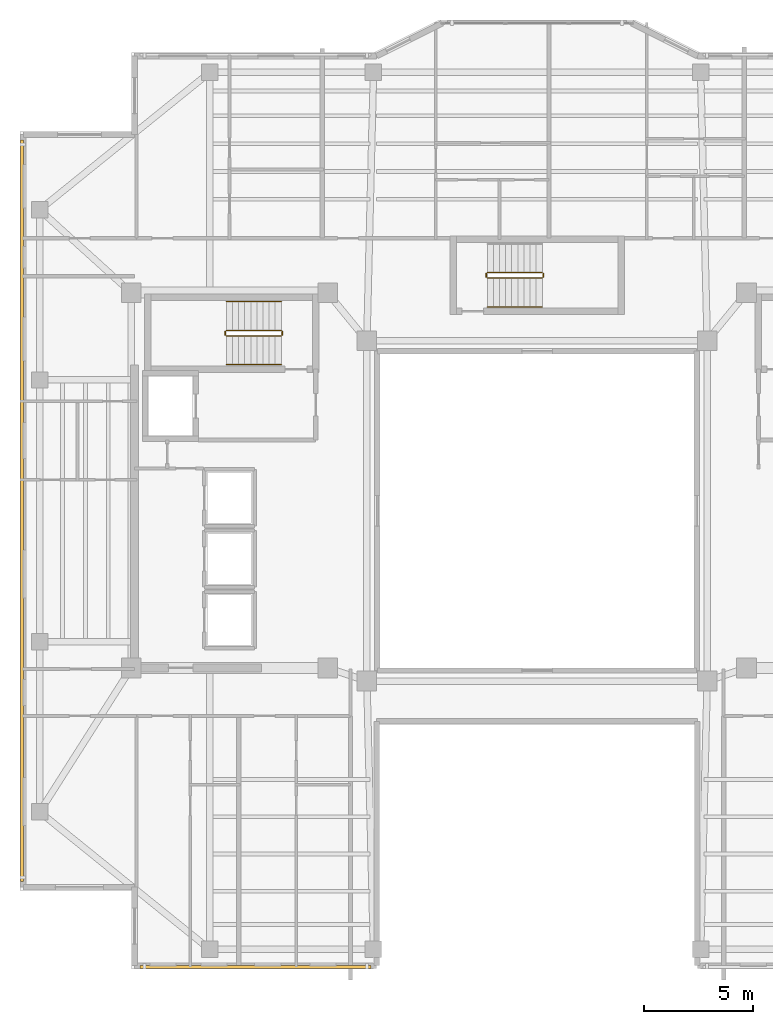
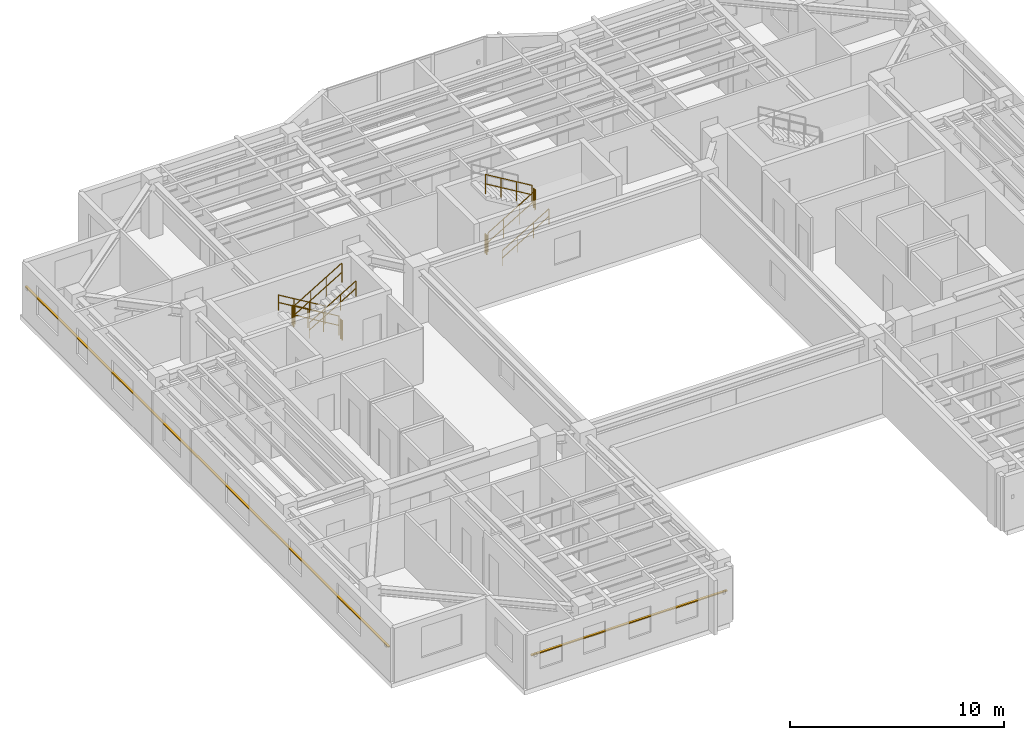
# One storey, part 10 of 12: 11 railings, 2 shading devices.
"""IFC4 building model written with IfcOpenShell, lengths in metres."""

from ifc_helpers import new_model, si_unit, direction, frame, origin, origin_2d, place, context, subcontext, project, spatial, rectangle, circle, extrude, material, material_profile, profile_set, type_object, element, save


model = new_model("IFC4")

# Units and contexts
model_context = context("Model", 3, precision=1e-05, world=origin(), true_north=direction((0.0, 1.0)))
body_context = subcontext(model_context, "Body", "Model", "MODEL_VIEW")
ifc_project = project(units=[si_unit("LENGTHUNIT", "METRE"), si_unit("AREAUNIT", "SQUARE_METRE"), si_unit("VOLUMEUNIT", "CUBIC_METRE"), si_unit("PLANEANGLEUNIT", "RADIAN"), si_unit("MASSUNIT", "GRAM", prefix="KILO")], contexts=[model_context])

# Site, building, storey
site_placement = place(None, origin())
site = spatial("IfcSite", under=ifc_project, at=site_placement, CompositionType="ELEMENT")
building_placement = place(site_placement, origin())
building = spatial("IfcBuilding", under=site, at=building_placement, Name="Tarnavaz Court Tower", CompositionType="ELEMENT")
storey_placement = place(building_placement, frame((0.0, 0.0, 210.35009765625)))
storey = spatial("IfcBuildingStorey", under=building, at=storey_placement, Name="L57", CompositionType="ELEMENT", Elevation=210.35009765625)

# Railings
ifc_material_1 = material(Name="Brushed Stainless Steel", Category="steel")
railing_type_1 = type_object("IfcRailingType", Name="RL-HANDRAIL-900", PredefinedType="HANDRAIL", material=ifc_material_1)
railing_1_placement = place(storey_placement, frame((-11.719970703125, 9.590087890625, 0.16748046875)))
element("IfcRailing", 1, at=railing_1_placement, inside=storey, type_object=railing_type_1, Name="L57 ST-W1 stair handrail 1", PredefinedType="HANDRAIL", context=body_context, shape_type="SweptSolid", body=[
    extrude(circle(Radius=0.02392578125, at=origin_2d()), frame((0.0, 0.0, 0.8759765625), z_axis=(-0.858196387827, 0.0, 0.513321497621), x_axis=(0.0, -1.0, 0.0)), (0.0, 0.0, 1.0), 2.9365234375),
    extrude(circle(Radius=0.02392578125, at=origin_2d()), frame((0.0, 0.0, 0.449951171875), z_axis=(-0.858196387827, 0.0, 0.513321497621), x_axis=(0.0, -1.0, 0.0)), (0.0, 0.0, 1.0), 2.9365234375),
    extrude(circle(Radius=0.02099609375, at=origin_2d()), origin(), (0.0, 0.0, 1.0), 0.851806640625),
    extrude(circle(Radius=0.02099609375, at=origin_2d()), frame((-0.840087890625, 0.0, 0.50244140625)), (0.0, 0.0, 1.0), 0.851806640625),
    extrude(circle(Radius=0.02099609375, at=origin_2d()), frame((-1.679931640625, 0.0, 1.0048828125)), (0.0, 0.0, 1.0), 0.851806640625),
    extrude(circle(Radius=0.02099609375, at=origin_2d()), frame((-2.52001953125, 0.0, 1.50732421875)), (0.0, 0.0, 1.0), 0.851806640625),
])
railing_2_placement = place(storey_placement, frame((-14.239990234375, 6.699951171875, 1.84228515625)))
element("IfcRailing", 2, at=railing_2_placement, inside=storey, type_object=railing_type_1, Name="L57 ST-W1 stair handrail 2", PredefinedType="HANDRAIL", context=body_context, shape_type="SweptSolid", body=[
    extrude(circle(Radius=0.02392578125, at=origin_2d()), frame((0.0, 0.0, 0.8759765625), z_axis=(0.858159760407, 0.0, 0.513382728203), x_axis=(0.0, 1.0, 0.0)), (0.0, 0.0, 1.0), 2.9365234375),
    extrude(circle(Radius=0.02392578125, at=origin_2d()), frame((0.0, 0.0, 0.449951171875), z_axis=(0.858159760407, 0.0, 0.513382728203), x_axis=(0.0, 1.0, 0.0)), (0.0, 0.0, 1.0), 2.9365234375),
    extrude(circle(Radius=0.02099609375, at=origin_2d()), origin(), (0.0, 0.0, 1.0), 0.851806640625),
    extrude(circle(Radius=0.02099609375, at=origin_2d()), frame((0.840087890625, 0.0, 0.50244140625)), (0.0, 0.0, 1.0), 0.851806640625),
    extrude(circle(Radius=0.02099609375, at=origin_2d()), frame((1.679931640625, 0.0, 1.005126953125)), (0.0, 0.0, 1.0), 0.851806640625),
    extrude(circle(Radius=0.02099609375, at=origin_2d()), frame((2.52001953125, 0.0, 1.507568359375)), (0.0, 0.0, 1.0), 0.851806640625),
])
railing_3_placement = place(storey_placement, frame((-2.280029296875, 9.35009765625, 0.16748046875)))
element("IfcRailing", 3, at=railing_3_placement, inside=storey, type_object=railing_type_1, Name="L57 ST-N1 stair handrail 1", PredefinedType="HANDRAIL", context=body_context, shape_type="SweptSolid", body=[
    extrude(circle(Radius=0.02392578125, at=origin_2d()), frame((0.0, 0.0, 0.8759765625), z_axis=(0.858196387827, 0.0, 0.513321497621), x_axis=(0.0, 1.0, 0.0)), (0.0, 0.0, 1.0), 2.9365234375),
    extrude(circle(Radius=0.02392578125, at=origin_2d()), frame((0.0, 0.0, 0.449951171875), z_axis=(0.858196387827, 0.0, 0.513321497621), x_axis=(0.0, 1.0, 0.0)), (0.0, 0.0, 1.0), 2.9365234375),
    extrude(circle(Radius=0.02099609375, at=origin_2d()), origin(), (0.0, 0.0, 1.0), 0.851806640625),
    extrude(circle(Radius=0.02099609375, at=origin_2d()), frame((0.840087890625, 0.0, 0.50244140625)), (0.0, 0.0, 1.0), 0.851806640625),
    extrude(circle(Radius=0.02099609375, at=origin_2d()), frame((1.679931640625, 0.0, 1.0048828125)), (0.0, 0.0, 1.0), 0.851806640625),
    extrude(circle(Radius=0.02099609375, at=origin_2d()), frame((2.52001953125, 0.0, 1.50732421875)), (0.0, 0.0, 1.0), 0.851806640625),
])
ifc_material_2 = material(Name="Galvanized Painted Tubular Steel", Category="steel")
railing_type_2 = type_object("IfcRailingType", Name="RL-STGUARD-1120", PredefinedType="GUARDRAIL", material=ifc_material_2)
railing_4_placement = place(storey_placement, frame((-11.719970703125, 8.27001953125, 0.16748046875)))
element("IfcRailing", 4, at=railing_4_placement, inside=storey, type_object=railing_type_2, Name="L57 ST-W1 stair guard 1", PredefinedType="GUARDRAIL", context=body_context, shape_type="SweptSolid", body=[
    extrude(circle(Radius=0.02392578125, at=origin_2d()), frame((0.0, 0.0, 1.09619140625), z_axis=(-0.858196387827, 0.0, 0.513321497621), x_axis=(0.0, -1.0, 0.0)), (0.0, 0.0, 1.0), 2.9365234375),
    extrude(circle(Radius=0.02392578125, at=origin_2d()), frame((0.0, 0.0, 0.56005859375), z_axis=(-0.858196387827, 0.0, 0.513321497621), x_axis=(0.0, -1.0, 0.0)), (0.0, 0.0, 1.0), 2.9365234375),
    extrude(circle(Radius=0.02099609375, at=origin_2d()), origin(), (0.0, 0.0, 1.0), 1.072021484375),
    extrude(circle(Radius=0.02099609375, at=origin_2d()), frame((-0.840087890625, 0.0, 0.50244140625)), (0.0, 0.0, 1.0), 1.072021484375),
    extrude(circle(Radius=0.02099609375, at=origin_2d()), frame((-1.679931640625, 0.0, 1.0048828125)), (0.0, 0.0, 1.0), 1.072021484375),
    extrude(circle(Radius=0.02099609375, at=origin_2d()), frame((-2.52001953125, 0.0, 1.50732421875)), (0.0, 0.0, 1.0), 1.072021484375),
])
railing_5_placement = place(storey_placement, frame((-14.2900390625, 8.219970703125, 1.6748046875)))
element("IfcRailing", 5, at=railing_5_placement, inside=storey, type_object=railing_type_2, Name="L57 ST-W1 stair guard 2", PredefinedType="GUARDRAIL", context=body_context, shape_type="SweptSolid", body=[
    extrude(circle(Radius=0.02392578125, at=origin_2d()), frame((0.0, 0.0, 1.09619140625), z_axis=(0.0, -1.0, 0.0), x_axis=(1.0, 0.0, 0.0)), (0.0, 0.0, 1.0), 0.14990234375),
    extrude(circle(Radius=0.02392578125, at=origin_2d()), frame((0.0, 0.0, 0.56005859375), z_axis=(0.0, -1.0, 0.0), x_axis=(1.0, 0.0, 0.0)), (0.0, 0.0, 1.0), 0.14990234375),
    extrude(circle(Radius=0.02099609375, at=origin_2d()), origin(), (0.0, 0.0, 1.0), 1.072021484375),
    extrude(circle(Radius=0.02099609375, at=origin_2d()), frame((0.0, -0.14990234375, 0.0)), (0.0, 0.0, 1.0), 1.072021484375),
])
railing_6_placement = place(storey_placement, frame((-14.239990234375, 8.02001953125, 1.84228515625)))
element("IfcRailing", 6, at=railing_6_placement, inside=storey, type_object=railing_type_2, Name="L57 ST-W1 stair guard 3", PredefinedType="GUARDRAIL", context=body_context, shape_type="SweptSolid", body=[
    extrude(circle(Radius=0.02392578125, at=origin_2d()), frame((0.0, 0.0, 1.09619140625), z_axis=(0.858159760407, 0.0, 0.513382728203), x_axis=(0.0, 1.0, 0.0)), (0.0, 0.0, 1.0), 2.9365234375),
    extrude(circle(Radius=0.02392578125, at=origin_2d()), frame((0.0, 0.0, 0.56005859375), z_axis=(0.858159760407, 0.0, 0.513382728203), x_axis=(0.0, 1.0, 0.0)), (0.0, 0.0, 1.0), 2.9365234375),
    extrude(circle(Radius=0.02099609375, at=origin_2d()), origin(), (0.0, 0.0, 1.0), 1.072021484375),
    extrude(circle(Radius=0.02099609375, at=origin_2d()), frame((0.840087890625, 0.0, 0.50244140625)), (0.0, 0.0, 1.0), 1.072021484375),
    extrude(circle(Radius=0.02099609375, at=origin_2d()), frame((1.679931640625, 0.0, 1.005126953125)), (0.0, 0.0, 1.0), 1.072021484375),
    extrude(circle(Radius=0.02099609375, at=origin_2d()), frame((2.52001953125, 0.0, 1.507568359375)), (0.0, 0.0, 1.0), 1.072021484375),
])
railing_7_placement = place(storey_placement, frame((-11.669921875, 8.219970703125, 0.0)))
element("IfcRailing", 7, at=railing_7_placement, inside=storey, type_object=railing_type_2, Name="L57 ST-W1 stair guard 4", PredefinedType="GUARDRAIL", context=body_context, shape_type="SweptSolid", body=[
    extrude(circle(Radius=0.02392578125, at=origin_2d()), frame((0.0, 0.0, 1.09619140625), z_axis=(0.0, -1.0, 0.0), x_axis=(1.0, 0.0, 0.0)), (0.0, 0.0, 1.0), 0.14990234375),
    extrude(circle(Radius=0.02392578125, at=origin_2d()), frame((0.0, 0.0, 0.56005859375), z_axis=(0.0, -1.0, 0.0), x_axis=(1.0, 0.0, 0.0)), (0.0, 0.0, 1.0), 0.14990234375),
    extrude(circle(Radius=0.02099609375, at=origin_2d()), origin(), (0.0, 0.0, 1.0), 1.072021484375),
    extrude(circle(Radius=0.02099609375, at=origin_2d()), frame((0.0, -0.14990234375, 0.0)), (0.0, 0.0, 1.0), 1.072021484375),
])
railing_8_placement = place(storey_placement, frame((-2.280029296875, 10.669921875, 0.16748046875)))
element("IfcRailing", 8, at=railing_8_placement, inside=storey, type_object=railing_type_2, Name="L57 ST-N1 stair guard 1", PredefinedType="GUARDRAIL", context=body_context, shape_type="SweptSolid", body=[
    extrude(circle(Radius=0.02392578125, at=origin_2d()), frame((0.0, 0.0, 1.09619140625), z_axis=(0.858196387827, 0.0, 0.513321497621), x_axis=(0.0, 1.0, 0.0)), (0.0, 0.0, 1.0), 2.9365234375),
    extrude(circle(Radius=0.02392578125, at=origin_2d()), frame((0.0, 0.0, 0.56005859375), z_axis=(0.858196387827, 0.0, 0.513321497621), x_axis=(0.0, 1.0, 0.0)), (0.0, 0.0, 1.0), 2.9365234375),
    extrude(circle(Radius=0.02099609375, at=origin_2d()), origin(), (0.0, 0.0, 1.0), 1.072021484375),
    extrude(circle(Radius=0.02099609375, at=origin_2d()), frame((0.840087890625, 0.0, 0.50244140625)), (0.0, 0.0, 1.0), 1.072021484375),
    extrude(circle(Radius=0.02099609375, at=origin_2d()), frame((1.679931640625, 0.0, 1.0048828125)), (0.0, 0.0, 1.0), 1.072021484375),
    extrude(circle(Radius=0.02099609375, at=origin_2d()), frame((2.52001953125, 0.0, 1.50732421875)), (0.0, 0.0, 1.0), 1.072021484375),
])
railing_9_placement = place(storey_placement, frame((0.2900390625, 10.719970703125, 1.6748046875)))
element("IfcRailing", 9, at=railing_9_placement, inside=storey, type_object=railing_type_2, Name="L57 ST-N1 stair guard 2", PredefinedType="GUARDRAIL", context=body_context, shape_type="SweptSolid", body=[
    extrude(circle(Radius=0.02392578125, at=origin_2d()), frame((0.0, 0.0, 1.09619140625), z_axis=(0.0, 1.0, 0.0), x_axis=(-1.0, 0.0, 0.0)), (0.0, 0.0, 1.0), 0.150146484375),
    extrude(circle(Radius=0.02392578125, at=origin_2d()), frame((0.0, 0.0, 0.56005859375), z_axis=(0.0, 1.0, 0.0), x_axis=(-1.0, 0.0, 0.0)), (0.0, 0.0, 1.0), 0.150146484375),
    extrude(circle(Radius=0.02099609375, at=origin_2d()), origin(), (0.0, 0.0, 1.0), 1.072021484375),
    extrude(circle(Radius=0.02099609375, at=origin_2d()), frame((0.0, 0.150146484375, 0.0)), (0.0, 0.0, 1.0), 1.072021484375),
])
railing_10_placement = place(storey_placement, frame((0.239990234375, 10.919921875, 1.84228515625)))
element("IfcRailing", 10, at=railing_10_placement, inside=storey, type_object=railing_type_2, Name="L57 ST-N1 stair guard 3", PredefinedType="GUARDRAIL", context=body_context, shape_type="SweptSolid", body=[
    extrude(circle(Radius=0.02392578125, at=origin_2d()), frame((0.0, 0.0, 1.09619140625), z_axis=(-0.858159760407, 0.0, 0.513382728203), x_axis=(0.0, -1.0, 0.0)), (0.0, 0.0, 1.0), 2.9365234375),
    extrude(circle(Radius=0.02392578125, at=origin_2d()), frame((0.0, 0.0, 0.56005859375), z_axis=(-0.858159760407, 0.0, 0.513382728203), x_axis=(0.0, -1.0, 0.0)), (0.0, 0.0, 1.0), 2.9365234375),
    extrude(circle(Radius=0.02099609375, at=origin_2d()), origin(), (0.0, 0.0, 1.0), 1.072021484375),
    extrude(circle(Radius=0.02099609375, at=origin_2d()), frame((-0.840087890625, 0.0, 0.50244140625)), (0.0, 0.0, 1.0), 1.072021484375),
    extrude(circle(Radius=0.02099609375, at=origin_2d()), frame((-1.679931640625, 0.0, 1.005126953125)), (0.0, 0.0, 1.0), 1.072021484375),
    extrude(circle(Radius=0.02099609375, at=origin_2d()), frame((-2.52001953125, 0.0, 1.507568359375)), (0.0, 0.0, 1.0), 1.072021484375),
])
railing_11_placement = place(storey_placement, frame((-2.330078125, 10.719970703125, 0.0)))
element("IfcRailing", 11, at=railing_11_placement, inside=storey, type_object=railing_type_2, Name="L57 ST-N1 stair guard 4", PredefinedType="GUARDRAIL", context=body_context, shape_type="SweptSolid", body=[
    extrude(circle(Radius=0.02392578125, at=origin_2d()), frame((0.0, 0.0, 1.09619140625), z_axis=(0.0, 1.0, 0.0), x_axis=(-1.0, 0.0, 0.0)), (0.0, 0.0, 1.0), 0.150146484375),
    extrude(circle(Radius=0.02392578125, at=origin_2d()), frame((0.0, 0.0, 0.56005859375), z_axis=(0.0, 1.0, 0.0), x_axis=(-1.0, 0.0, 0.0)), (0.0, 0.0, 1.0), 0.150146484375),
    extrude(circle(Radius=0.02099609375, at=origin_2d()), origin(), (0.0, 0.0, 1.0), 1.072021484375),
    extrude(circle(Radius=0.02099609375, at=origin_2d()), frame((0.0, 0.150146484375, 0.0)), (0.0, 0.0, 1.0), 1.072021484375),
])

# Shading devices
ifc_material_3 = material(Name="Kiln-Fired Khorasan Terracotta Ceramic", Category="masonry")
ifc_material_profile = material_profile(ifc_material_3, rectangle(XDim=0.1201171875, YDim=0.06005859375, at=origin_2d()), Name="TC BAGUETTE 120X60")
ifc_profile_set = profile_set([ifc_material_profile], Name="Kiln-Fired Khorasan Terracotta Ceramic")
shading_device_type = type_object("IfcShadingDeviceType", Name="SD-BAG-120", PredefinedType="USERDEFINED", material=ifc_profile_set)
shading_device_1_placement = place(storey_placement, frame((-23.610107421875, -17.0, 1.849853515625), z_axis=(0.0, 1.0, 0.0), x_axis=(-1.0, 0.0, 0.0)))
element("IfcShadingDevice", 12, at=shading_device_1_placement, inside=storey, type_object=shading_device_type, Name="L57 Terracotta Baguette Screen FBG02", ObjectType="BAGUETTE", PredefinedType="USERDEFINED", context=body_context, shape_type="SweptSolid", body=[
    extrude(rectangle(XDim=0.1201171875, YDim=0.06005859375, at=origin_2d()), origin(), (0.0, 0.0, 1.0), 34.0),
])
shading_device_2_placement = place(storey_placement, frame((-7.60009765625, -20.909912109375, 1.849853515625), z_axis=(-1.0, 0.0, 0.0), x_axis=(0.0, -1.0, 0.0)))
element("IfcShadingDevice", 13, at=shading_device_2_placement, inside=storey, type_object=shading_device_type, Name="L57 Terracotta Baguette Screen FBG19", ObjectType="BAGUETTE", PredefinedType="USERDEFINED", context=body_context, shape_type="SweptSolid", body=[
    extrude(rectangle(XDim=0.1201171875, YDim=0.06005859375, at=origin_2d()), origin(), (0.0, 0.0, 1.0), 10.599853515625),
])

save(model, "model.ifc")
